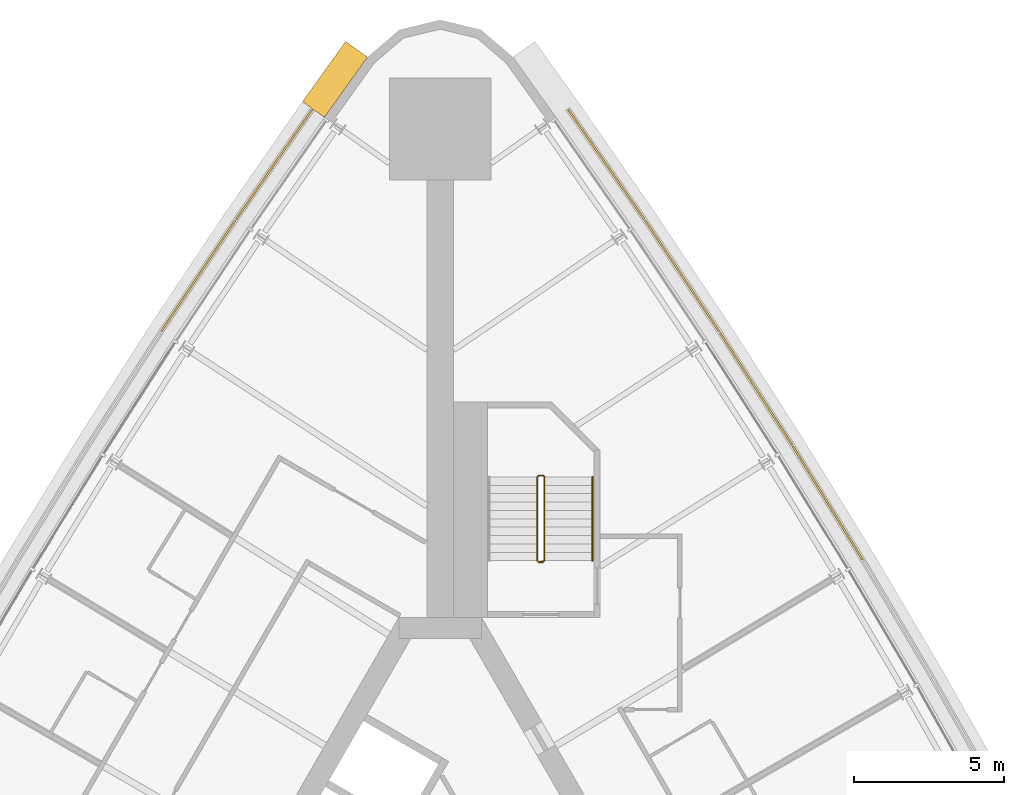
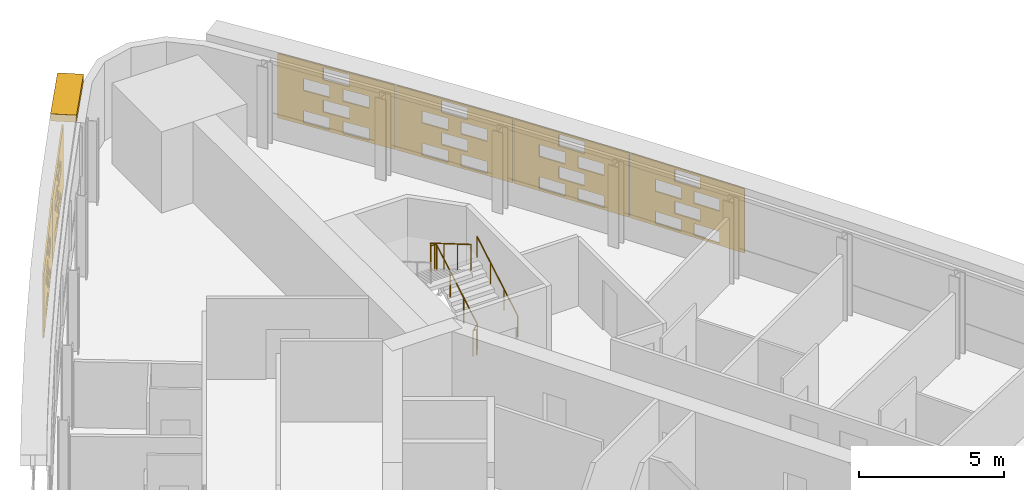
# One storey, part 15 of 15: 7 shading devices, 2 railings.
"""IFC4 building model written with IfcOpenShell, lengths in metres."""

from ifc_helpers import new_model, si_unit, direction, frame, origin, origin_2d, place, context, subcontext, project, spatial, polyline, circle, outline, extrude, material, material_profile, profile_set, type_object, element, save


model = new_model("IFC4")

# Units and contexts
model_context = context("Model", 3, precision=1e-05, world=origin(), true_north=direction((0.0, 1.0)))
body_context = subcontext(model_context, "Body", "Model", "MODEL_VIEW")
ifc_project = project(units=[si_unit("LENGTHUNIT", "METRE"), si_unit("AREAUNIT", "SQUARE_METRE"), si_unit("VOLUMEUNIT", "CUBIC_METRE"), si_unit("PLANEANGLEUNIT", "RADIAN"), si_unit("MASSUNIT", "GRAM", prefix="KILO")], contexts=[model_context])

# Site, building, storey
site_placement = place(None, origin())
site = spatial("IfcSite", under=ifc_project, at=site_placement, CompositionType="ELEMENT")
building_placement = place(site_placement, origin())
building = spatial("IfcBuilding", under=site, at=building_placement, Name="Noor Cloister Tower", CompositionType="ELEMENT")
storey_placement = place(building_placement, frame((0.0, 0.0, 27.60009765625)))
storey = spatial("IfcBuildingStorey", under=building, at=storey_placement, Name="L06", CompositionType="ELEMENT", Elevation=27.60009765625)

# Shading devices
ifc_material_1 = material(Name="Limestone", Category="masonry")
ifc_material_profile = material_profile(ifc_material_1, outline(polyline([(-2.22998046875, -1.35009765625), (2.22998046875, -1.35009765625), (2.22998046875, 1.35009765625), (-2.22998046875, 1.35009765625), (-2.22998046875, -1.35009765625)]), holes=[polyline([(-1.25, -1.263427734375), (-0.25, -1.263427734375), (-0.25, -0.76171875), (-1.25, -0.76171875), (-1.25, -1.263427734375)]), polyline([(0.25, -1.263427734375), (1.25, -1.263427734375), (1.25, -0.76171875), (0.25, -0.76171875), (0.25, -1.263427734375)]), polyline([(-0.5, -0.58837890625), (0.5, -0.58837890625), (0.5, -0.086669921875), (-0.5, -0.086669921875), (-0.5, -0.58837890625)]), polyline([(-1.25, 0.086669921875), (-0.25, 0.086669921875), (-0.25, 0.58837890625), (-1.25, 0.58837890625), (-1.25, 0.086669921875)]), polyline([(0.25, 0.086669921875), (1.25, 0.086669921875), (1.25, 0.58837890625), (0.25, 0.58837890625), (0.25, 0.086669921875)]), polyline([(-0.5, 0.76171875), (0.5, 0.76171875), (0.5, 1.263427734375), (-0.5, 1.263427734375), (-0.5, 0.76171875)])]), Name="Woven screen 25 percent open")
ifc_profile_set = profile_set([ifc_material_profile], Name="Limestone")
shading_device_type_1 = type_object("IfcShadingDeviceType", Name="SCREEN woven limestone 25 percent open", PredefinedType="USERDEFINED", material=ifc_profile_set)
shading_device_1_placement = place(storey_placement, frame((-5.52294921875, 26.586669921875, 1.849853515625), z_axis=(-0.821899128607, 0.56963305943, 0.0), x_axis=(-0.56963305943, -0.821899128607, 0.0)))
element("IfcShadingDevice", 1, at=shading_device_1_placement, inside=storey, type_object=shading_device_type_1, Name="SCREEN L06 1", ObjectType="SCREEN", PredefinedType="USERDEFINED", context=body_context, shape_type="SweptSolid", body=[
    extrude(outline(polyline([(-2.22998046875, -1.35009765625), (2.22998046875, -1.35009765625), (2.22998046875, 1.35009765625), (-2.22998046875, 1.35009765625), (-2.22998046875, -1.35009765625)]), holes=[polyline([(-1.25, -1.263427734375), (-0.25, -1.263427734375), (-0.25, -0.76171875), (-1.25, -0.76171875), (-1.25, -1.263427734375)]), polyline([(0.25, -1.263427734375), (1.25, -1.263427734375), (1.25, -0.76171875), (0.25, -0.76171875), (0.25, -1.263427734375)]), polyline([(-0.5, -0.58837890625), (0.5, -0.58837890625), (0.5, -0.086669921875), (-0.5, -0.086669921875), (-0.5, -0.58837890625)]), polyline([(-1.25, 0.086669921875), (-0.25, 0.086669921875), (-0.25, 0.58837890625), (-1.25, 0.58837890625), (-1.25, 0.086669921875)]), polyline([(0.25, 0.086669921875), (1.25, 0.086669921875), (1.25, 0.58837890625), (0.25, 0.58837890625), (0.25, 0.086669921875)]), polyline([(-0.5, 0.76171875), (0.5, 0.76171875), (0.5, 1.263427734375), (-0.5, 1.263427734375), (-0.5, 0.76171875)])]), origin(), (0.0, 0.0, 1.0), 0.06005859375),
])
shading_device_2_placement = place(storey_placement, frame((-8.060302734375, 22.8603515625, 1.849853515625), z_axis=(-0.832050294338, 0.554700196225, 0.0), x_axis=(-0.554700196225, -0.832050294338, 0.0)))
element("IfcShadingDevice", 2, at=shading_device_2_placement, inside=storey, type_object=shading_device_type_1, Name="SCREEN L06 2", ObjectType="SCREEN", PredefinedType="USERDEFINED", context=body_context, shape_type="SweptSolid", body=[
    extrude(outline(polyline([(-2.22998046875, -1.35009765625), (2.22998046875, -1.35009765625), (2.22998046875, 1.35009765625), (-2.22998046875, 1.35009765625), (-2.22998046875, -1.35009765625)]), holes=[polyline([(-1.25, -1.263427734375), (-0.25, -1.263427734375), (-0.25, -0.76171875), (-1.25, -0.76171875), (-1.25, -1.263427734375)]), polyline([(0.25, -1.263427734375), (1.25, -1.263427734375), (1.25, -0.76171875), (0.25, -0.76171875), (0.25, -1.263427734375)]), polyline([(-0.5, -0.58837890625), (0.5, -0.58837890625), (0.5, -0.086669921875), (-0.5, -0.086669921875), (-0.5, -0.58837890625)]), polyline([(-1.25, 0.086669921875), (-0.25, 0.086669921875), (-0.25, 0.58837890625), (-1.25, 0.58837890625), (-1.25, 0.086669921875)]), polyline([(0.25, 0.086669921875), (1.25, 0.086669921875), (1.25, 0.58837890625), (0.25, 0.58837890625), (0.25, 0.086669921875)]), polyline([(-0.5, 0.76171875), (0.5, 0.76171875), (0.5, 1.263427734375), (-0.5, 1.263427734375), (-0.5, 0.76171875)])]), origin(), (0.0, 0.0, 1.0), 0.059814453125),
])
for number, where, z_axis, x_axis, name in (
    (3, (12.92529296875, 15.269775390625, 1.849853515625), (0.852075986308, 0.523418105875, 0.0), (-0.523418105875, 0.852075986308, 0.0), "SCREEN L06 7"),
    (4, (10.528076171875, 19.087646484375, 1.849853515625), (0.841310503427, 0.540552159207, 0.0), (-0.540552159207, 0.841310503427, 0.0), "SCREEN L06 8"),
):
    element("IfcShadingDevice", number, at=place(storey_placement, frame(where, z_axis=z_axis, x_axis=x_axis)), inside=storey, type_object=shading_device_type_1, Name=name, ObjectType="SCREEN", PredefinedType="USERDEFINED", context=body_context, shape_type="SweptSolid", body=[
        extrude(outline(polyline([(-2.22998046875, -1.35009765625), (2.22998046875, -1.35009765625), (2.22998046875, 1.35009765625), (-2.22998046875, 1.35009765625), (-2.22998046875, -1.35009765625)]), holes=[polyline([(-1.25, -1.263427734375), (-0.25, -1.263427734375), (-0.25, -0.76171875), (-1.25, -0.76171875), (-1.25, -1.263427734375)]), polyline([(0.25, -1.263427734375), (1.25, -1.263427734375), (1.25, -0.76171875), (0.25, -0.76171875), (0.25, -1.263427734375)]), polyline([(-0.5, -0.58837890625), (0.5, -0.58837890625), (0.5, -0.086669921875), (-0.5, -0.086669921875), (-0.5, -0.58837890625)]), polyline([(-1.25, 0.086669921875), (-0.25, 0.086669921875), (-0.25, 0.58837890625), (-1.25, 0.58837890625), (-1.25, 0.086669921875)]), polyline([(0.25, 0.086669921875), (1.25, 0.086669921875), (1.25, 0.58837890625), (0.25, 0.58837890625), (0.25, 0.086669921875)]), polyline([(-0.5, 0.76171875), (0.5, 0.76171875), (0.5, 1.263427734375), (-0.5, 1.263427734375), (-0.5, 0.76171875)])]), origin(), (0.0, 0.0, 1.0), 0.06005859375),
    ])
shading_device_3_placement = place(storey_placement, frame((8.060302734375, 22.8603515625, 1.849853515625), z_axis=(0.832050294338, 0.554700196225, 0.0), x_axis=(-0.554700196225, 0.832050294338, 0.0)))
element("IfcShadingDevice", 5, at=shading_device_3_placement, inside=storey, type_object=shading_device_type_1, Name="SCREEN L06 9", ObjectType="SCREEN", PredefinedType="USERDEFINED", context=body_context, shape_type="SweptSolid", body=[
    extrude(outline(polyline([(-2.22998046875, -1.35009765625), (2.22998046875, -1.35009765625), (2.22998046875, 1.35009765625), (-2.22998046875, 1.35009765625), (-2.22998046875, -1.35009765625)]), holes=[polyline([(-1.25, -1.263427734375), (-0.25, -1.263427734375), (-0.25, -0.76171875), (-1.25, -0.76171875), (-1.25, -1.263427734375)]), polyline([(0.25, -1.263427734375), (1.25, -1.263427734375), (1.25, -0.76171875), (0.25, -0.76171875), (0.25, -1.263427734375)]), polyline([(-0.5, -0.58837890625), (0.5, -0.58837890625), (0.5, -0.086669921875), (-0.5, -0.086669921875), (-0.5, -0.58837890625)]), polyline([(-1.25, 0.086669921875), (-0.25, 0.086669921875), (-0.25, 0.58837890625), (-1.25, 0.58837890625), (-1.25, 0.086669921875)]), polyline([(0.25, 0.086669921875), (1.25, 0.086669921875), (1.25, 0.58837890625), (0.25, 0.58837890625), (0.25, 0.086669921875)]), polyline([(-0.5, 0.76171875), (0.5, 0.76171875), (0.5, 1.263427734375), (-0.5, 1.263427734375), (-0.5, 0.76171875)])]), origin(), (0.0, 0.0, 1.0), 0.059814453125),
])
shading_device_4_placement = place(storey_placement, frame((5.52294921875, 26.586669921875, 1.849853515625), z_axis=(0.821899128607, 0.56963305943, 0.0), x_axis=(-0.56963305943, 0.821899128607, 0.0)))
element("IfcShadingDevice", 6, at=shading_device_4_placement, inside=storey, type_object=shading_device_type_1, Name="SCREEN L06 10", ObjectType="SCREEN", PredefinedType="USERDEFINED", context=body_context, shape_type="SweptSolid", body=[
    extrude(outline(polyline([(-2.22998046875, -1.35009765625), (2.22998046875, -1.35009765625), (2.22998046875, 1.35009765625), (-2.22998046875, 1.35009765625), (-2.22998046875, -1.35009765625)]), holes=[polyline([(-1.25, -1.263427734375), (-0.25, -1.263427734375), (-0.25, -0.76171875), (-1.25, -0.76171875), (-1.25, -1.263427734375)]), polyline([(0.25, -1.263427734375), (1.25, -1.263427734375), (1.25, -0.76171875), (0.25, -0.76171875), (0.25, -1.263427734375)]), polyline([(-0.5, -0.58837890625), (0.5, -0.58837890625), (0.5, -0.086669921875), (-0.5, -0.086669921875), (-0.5, -0.58837890625)]), polyline([(-1.25, 0.086669921875), (-0.25, 0.086669921875), (-0.25, 0.58837890625), (-1.25, 0.58837890625), (-1.25, 0.086669921875)]), polyline([(0.25, 0.086669921875), (1.25, 0.086669921875), (1.25, 0.58837890625), (0.25, 0.58837890625), (0.25, 0.086669921875)]), polyline([(-0.5, 0.76171875), (0.5, 0.76171875), (0.5, 1.263427734375), (-0.5, 1.263427734375), (-0.5, 0.76171875)])]), origin(), (0.0, 0.0, 1.0), 0.06005859375),
])
ifc_material_2 = material(Name="Limestone", Category="masonry")
shading_device_type_2 = type_object("IfcShadingDeviceType", Name="SUNSHADE limestone band 900", PredefinedType="USERDEFINED", material=ifc_material_2)
shading_device_5_placement = place(storey_placement, frame((0.0, 0.0, 3.2998046875)))
element("IfcShadingDevice", 7, at=shading_device_5_placement, inside=storey, type_object=shading_device_type_2, Name="SUNSHADE L06 4", ObjectType="SUNSHADE", PredefinedType="USERDEFINED", context=body_context, shape_type="SweptSolid", body=[
    extrude(outline(polyline([(-3.161865234375, 30.712158203125), (-4.6015625, 28.70166015625), (-3.869873046875, 28.177734375), (-2.43017578125, 30.188232421875), (-3.161865234375, 30.712158203125)])), origin(), (0.0, 0.0, 1.0), 0.300048828125),
])

# Railings
ifc_material_3 = material(Name="Stainless steel", Category="steel")
railing_type_1 = type_object("IfcRailingType", Name="Stair guard 1100", PredefinedType="GUARDRAIL", material=ifc_material_3)
railing_1_placement = place(storey_placement, frame((3.435546875, 13.306396484375, 0.0)))
element("IfcRailing", 8, at=railing_1_placement, inside=storey, type_object=railing_type_1, Name="Stair guard ST1 L06", PredefinedType="GUARDRAIL", context=body_context, shape_type="SweptSolid", body=[
    extrude(circle(Radius=0.02392578125, at=origin_2d()), frame((0.0, 0.0, 1.076171875), z_axis=(-1.0, 0.0, 0.0), x_axis=(0.0, -1.0, 0.0)), (0.0, 0.0, 1.0), 0.14990234375),
    extrude(circle(Radius=0.02392578125, at=origin_2d()), frame((-0.14990234375, 0.0, 1.076171875), z_axis=(0.759870394187, 0.190199549216, 0.621627795), x_axis=(-0.242814311512, 0.970072785993, 0.0)), (0.0, 0.0, 1.0), 0.26318359375),
    extrude(circle(Radius=0.02392578125, at=origin_2d()), frame((0.050048828125, 0.050048828125, 1.23974609375), z_axis=(0.0, 0.863393664356, 0.504530851732), x_axis=(-1.0, 0.0, 0.0)), (0.0, 0.0, 1.0), 3.2431640625),
    extrude(circle(Radius=0.02392578125, at=origin_2d()), frame((0.050048828125, 2.85009765625, 2.8759765625), z_axis=(-0.708833529934, 0.705375805398, 0.0), x_axis=(-0.705375805398, -0.708833529934, 0.0)), (0.0, 0.0, 1.0), 0.070556640625),
    extrude(circle(Radius=0.02392578125, at=origin_2d()), frame((0.0, 2.89990234375, 2.8759765625), z_axis=(-1.0, 0.0, 0.0), x_axis=(0.0, -1.0, 0.0)), (0.0, 0.0, 1.0), 0.14990234375),
    extrude(circle(Radius=0.02392578125, at=origin_2d()), frame((-0.14990234375, 2.89990234375, 2.8759765625), z_axis=(-0.280563532951, -0.279194930351, 0.91833234444), x_axis=(0.705375805398, -0.708833529934, 0.0)), (0.0, 0.0, 1.0), 0.178466796875),
    extrude(circle(Radius=0.02392578125, at=origin_2d()), frame((-0.199951171875, 2.85009765625, 3.03955078125), z_axis=(0.0, -0.863393664356, 0.504530851732), x_axis=(1.0, 0.0, 0.0)), (0.0, 0.0, 1.0), 3.2431640625),
    extrude(circle(Radius=0.02099609375, at=origin_2d()), origin(), (0.0, 0.0, 1.0), 1.052001953125),
    extrude(circle(Radius=0.02099609375, at=origin_2d()), frame((-0.14990234375, 0.0, 0.0)), (0.0, 0.0, 1.0), 1.052001953125),
    extrude(circle(Radius=0.02099609375, at=origin_2d()), frame((0.050048828125, 0.050048828125, 0.16357421875)), (0.0, 0.0, 1.0), 1.052001953125),
    extrude(circle(Radius=0.02099609375, at=origin_2d()), frame((0.050048828125, 0.9833984375, 0.708984375)), (0.0, 0.0, 1.0), 1.052001953125),
    extrude(circle(Radius=0.02099609375, at=origin_2d()), frame((0.050048828125, 1.916748046875, 1.25439453125)), (0.0, 0.0, 1.0), 1.052001953125),
    extrude(circle(Radius=0.02099609375, at=origin_2d()), frame((0.050048828125, 2.85009765625, 1.7998046875)), (0.0, 0.0, 1.0), 1.052001953125),
    extrude(circle(Radius=0.02099609375, at=origin_2d()), frame((0.0, 2.89990234375, 1.7998046875)), (0.0, 0.0, 1.0), 1.052001953125),
    extrude(circle(Radius=0.02099609375, at=origin_2d()), frame((-0.14990234375, 2.89990234375, 1.7998046875)), (0.0, 0.0, 1.0), 1.052001953125),
    extrude(circle(Radius=0.02099609375, at=origin_2d()), frame((-0.199951171875, 2.85009765625, 1.963623046875)), (0.0, 0.0, 1.0), 1.052001953125),
    extrude(circle(Radius=0.02099609375, at=origin_2d()), frame((-0.199951171875, 1.916748046875, 2.509033203125)), (0.0, 0.0, 1.0), 1.052001953125),
    extrude(circle(Radius=0.02099609375, at=origin_2d()), frame((-0.199951171875, 0.9833984375, 3.054443359375)), (0.0, 0.0, 1.0), 1.052001953125),
    extrude(circle(Radius=0.02099609375, at=origin_2d()), frame((-0.199951171875, 0.050048828125, 3.599853515625)), (0.0, 0.0, 1.0), 1.052001953125),
])
ifc_material_4 = material(Name="Stainless steel", Category="steel")
railing_type_2 = type_object("IfcRailingType", Name="Stair handrail 900", PredefinedType="HANDRAIL", material=ifc_material_4)
railing_2_placement = place(storey_placement, frame((5.085693359375, 13.3564453125, 0.16357421875)))
element("IfcRailing", 9, at=railing_2_placement, inside=storey, type_object=railing_type_2, Name="Stair handrail ST1 L06 1", PredefinedType="HANDRAIL", context=body_context, shape_type="SweptSolid", body=[
    extrude(circle(Radius=0.02392578125, at=origin_2d()), frame((0.0, 0.0, 0.8759765625), z_axis=(0.0, 0.863393664356, 0.504530851732), x_axis=(-1.0, 0.0, 0.0)), (0.0, 0.0, 1.0), 3.2431640625),
    extrude(circle(Radius=0.02099609375, at=origin_2d()), origin(), (0.0, 0.0, 1.0), 0.851806640625),
    extrude(circle(Radius=0.02099609375, at=origin_2d()), frame((0.0, 0.933349609375, 0.54541015625)), (0.0, 0.0, 1.0), 0.851806640625),
    extrude(circle(Radius=0.02099609375, at=origin_2d()), frame((0.0, 1.86669921875, 1.0908203125)), (0.0, 0.0, 1.0), 0.851806640625),
    extrude(circle(Radius=0.02099609375, at=origin_2d()), frame((0.0, 2.800048828125, 1.63623046875)), (0.0, 0.0, 1.0), 0.851806640625),
])

save(model, "model.ifc")
